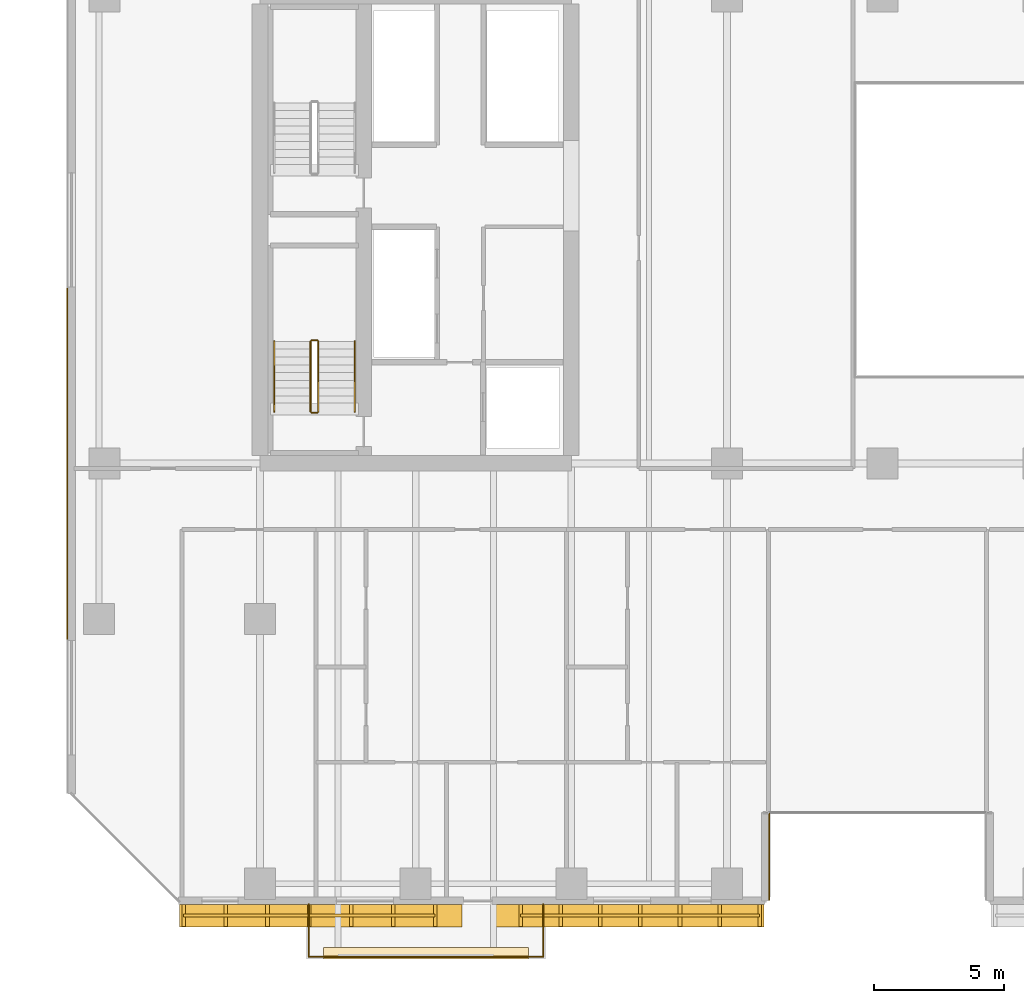
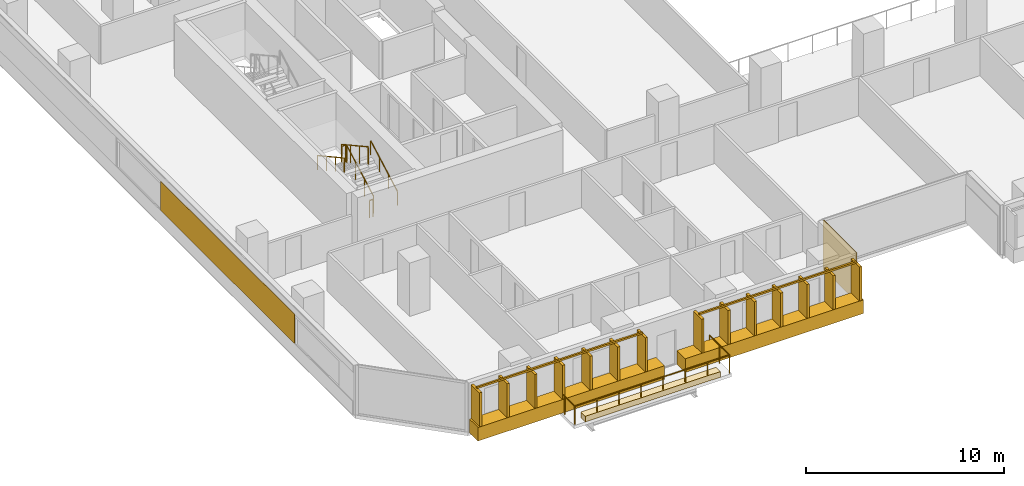
# One storey, part 25 of 33: 9 railings, 5 coverings.
"""IFC4 building model written with IfcOpenShell, lengths in metres."""

import ifcopenshell
import ifcopenshell.guid

model = None  # the IFC model being written
_history = None  # IfcOwnerHistory: only IFC2X3 demands one
_inside = {}  # id of a spatial element -> (the spatial element, [elements in it])
_under = {}  # id of a project, library or spatial element -> (it, [spatial elements below it])
_declared = {}  # id of a project -> (the project, [libraries it declares])
_typed = {}  # id of a type object -> (the type object, [elements of that type])
_made_of = {}  # id of a material, layer set ... -> (it, [elements and type objects made of it])


def new_model(schema):
    """Start an empty IFC model of exactly this schema.

    Asked for "IFC4X3", IfcOpenShell would pick the latest addendum, in which some entities
    have other attributes; the version numbers below select the first issue.
    IFC2X3 requires an IfcOwnerHistory on every rooted entity: one is made here for all.
    """
    global model, _history
    if schema == "IFC4X3":
        model = ifcopenshell.file(schema_version=(4, 3, 0, 0))
    else:
        model = ifcopenshell.file(schema=schema)
    _inside.clear()
    _under.clear()
    _declared.clear()
    _typed.clear()
    _made_of.clear()
    _history = None
    if model.schema == "IFC2X3":
        org = make("IfcOrganization", Name="unknown")
        user = make(
            "IfcPersonAndOrganization",
            ThePerson=make("IfcPerson", FamilyName="unknown"),
            TheOrganization=org,
        )
        app = make(
            "IfcApplication",
            ApplicationDeveloper=org,
            Version="unknown",
            ApplicationFullName="unknown",
            ApplicationIdentifier="unknown",
        )
        _history = make(
            "IfcOwnerHistory",
            OwningUser=user,
            OwningApplication=app,
            ChangeAction="ADDED",
            CreationDate=0,
        )
    return model


def make(cls, **values):
    """One entity of the class cls with the attributes given. An attribute that is None is left unset."""
    return model.create_entity(
        cls, **{name: value for name, value in values.items() if value is not None}
    )


def rooted(cls, **values):
    """An entity with a GlobalId (a new one), such as an element, a storey or a relation."""
    return make(cls, GlobalId=ifcopenshell.guid.new(), OwnerHistory=_history, **values)


def si_unit(unit_type, name, prefix=None):
    """IfcSIUnit, for example si_unit("LENGTHUNIT", "METRE", prefix="MILLI")."""
    return make("IfcSIUnit", UnitType=unit_type, Prefix=prefix, Name=name)


def assignment(units):
    """IfcUnitAssignment: the units of a project."""
    return None if units is None else make("IfcUnitAssignment", Units=units)


def point(xyz):
    """IfcCartesianPoint."""
    return None if xyz is None else make("IfcCartesianPoint", Coordinates=xyz)


def direction(xyz):
    """IfcDirection."""
    return None if xyz is None else make("IfcDirection", DirectionRatios=xyz)


def frame(location, z_axis=None, x_axis=None):
    """IfcAxis2Placement3D, a coordinate frame: its origin and axes. An axis left out is left unset."""
    return make(
        "IfcAxis2Placement3D",
        Location=point(location),
        Axis=direction(z_axis),
        RefDirection=direction(x_axis),
    )


def frame_2d(location, x_axis=None):
    """IfcAxis2Placement2D, a coordinate frame in the plane: its origin and x axis."""
    return make(
        "IfcAxis2Placement2D", Location=point(location), RefDirection=direction(x_axis)
    )


def origin():
    """The frame at (0, 0, 0) with its axes left unset."""
    return frame((0.0, 0.0, 0.0))


def origin_2d():
    """The frame at (0, 0) in the plane with its x axis left unset."""
    return frame_2d((0.0, 0.0))


def place(relative_to, where):
    """IfcLocalPlacement: puts the frame where relative to a parent placement (None: the world)."""
    return make(
        "IfcLocalPlacement", PlacementRelTo=relative_to, RelativePlacement=where
    )


def context(
    kind, dimensions, precision=None, world=None, true_north=None, identifier=None
):
    """IfcGeometricRepresentationContext, for example the 3D "Model" context."""
    return make(
        "IfcGeometricRepresentationContext",
        ContextIdentifier=identifier,
        ContextType=kind,
        CoordinateSpaceDimension=dimensions,
        Precision=precision,
        WorldCoordinateSystem=world,
        TrueNorth=true_north,
    )


def subcontext(parent, identifier, kind, view, scale=None):
    """IfcGeometricRepresentationSubContext, for example "Body" below "Model"."""
    return make(
        "IfcGeometricRepresentationSubContext",
        ContextIdentifier=identifier,
        ContextType=kind,
        ParentContext=parent,
        TargetScale=scale,
        TargetView=view,
    )


def project(units=None, contexts=None):
    """IfcProject with its units and contexts."""
    return rooted(
        "IfcProject",
        Name="project",
        RepresentationContexts=contexts,
        UnitsInContext=assignment(units),
    )


def spatial(cls, under=None, at=None, **own):
    """A site, building, storey or space (cls), placed at a placement, below another one or the project."""
    s = rooted(cls, ObjectPlacement=at, **own)
    if under is not None:
        _under.setdefault(under.id(), (under, []))[1].append(s)
    return s


def polyline(points):
    """IfcPolyline through the points."""
    return make("IfcPolyline", Points=[point(p) for p in points])


def profile(cls, at=None, kind="AREA", **sizes):
    """A parametric profile (cls). Its sizes go by their IFC names, for example OverallWidth=200.0."""
    return make(cls, ProfileType=kind, Position=at, **sizes)


def rectangle(**sizes):
    """IfcRectangleProfileDef."""
    return profile("IfcRectangleProfileDef", **sizes)


def outline(outer, holes=None, kind="AREA"):
    """IfcArbitraryClosedProfileDef: a profile drawn as a closed curve; with holes, ...WithVoids."""
    if holes is None:
        return make("IfcArbitraryClosedProfileDef", ProfileType=kind, OuterCurve=outer)
    return make(
        "IfcArbitraryProfileDefWithVoids",
        ProfileType=kind,
        OuterCurve=outer,
        InnerCurves=holes,
    )


def extrude(swept, where, along, depth):
    """IfcExtrudedAreaSolid: the profile swept, set in the frame where, extruded along a direction by depth."""
    return make(
        "IfcExtrudedAreaSolid",
        SweptArea=swept,
        Position=where,
        ExtrudedDirection=direction(along),
        Depth=depth,
    )


def shape(context_of_items, identifier, shape_type, items):
    """IfcShapeRepresentation: the items that make up one representation, for example the "Body"."""
    return make(
        "IfcShapeRepresentation",
        ContextOfItems=context_of_items,
        RepresentationIdentifier=identifier,
        RepresentationType=shape_type,
        Items=items,
    )


def material(Name=None, Category=None):
    """IfcMaterial."""
    return make("IfcMaterial", Name=Name, Category=Category)


def layer(
    of_material, thickness, ventilated=None, Name=None, Category=None, Priority=None
):
    """IfcMaterialLayer: one layer of a wall or slab, of a material (None: an air gap)."""
    return make(
        "IfcMaterialLayer",
        Material=of_material,
        LayerThickness=thickness,
        IsVentilated=ventilated,
        Name=Name,
        Category=Category,
        Priority=Priority,
    )


def layer_set(layers, Name=None):
    """IfcMaterialLayerSet."""
    return make("IfcMaterialLayerSet", MaterialLayers=layers, LayerSetName=Name)


def made_of(thing, what):
    """Note that an element or type object is made of a material, layer set ...; save() writes the relation."""
    if what is not None:
        _made_of.setdefault(what.id(), (what, []))[1].append(thing)
    return thing


def type_object(cls, material=None, **own):
    """A type object (cls), such as IfcWallType, which elements share."""
    return made_of(rooted(cls, **own), material)


def element(
    cls,
    number,
    at=None,
    inside=None,
    cuts=None,
    type_object=None,
    material=None,
    context=None,
    identifier="Body",
    shape_type=None,
    held_by="IfcProductDefinitionShape",
    body=None,
    shapes=None,
    **own,
):
    """One element of the class cls, such as IfcWall. Its Tag is "e" and its number.

    at: its placement. inside: the storey or other place that contains it. cuts: it is an
    opening in that element (IfcRelVoidsElement). A single representation is given by context,
    identifier, shape_type and body (its items); several are given by shapes. held_by: the class
    of the entity that holds the representations. save() writes the other relations.
    """
    e = rooted(cls, Tag="e%d" % number, ObjectPlacement=at, **own)
    if body is not None:
        shapes = [shape(context, identifier, shape_type, body)]
    if shapes is not None:
        e.Representation = make(held_by, Representations=shapes)
    if inside is not None:
        _inside.setdefault(inside.id(), (inside, []))[1].append(e)
    if cuts is not None:
        rooted(
            "IfcRelVoidsElement", RelatingBuildingElement=cuts, RelatedOpeningElement=e
        )
    if type_object is not None:
        _typed.setdefault(type_object.id(), (type_object, []))[1].append(e)
    return made_of(e, material)


def aggregate(whole, parts):
    """IfcRelAggregates: a whole, such as a stair, and the parts it consists of."""
    return rooted("IfcRelAggregates", RelatingObject=whole, RelatedObjects=parts)


def save(model, path):
    """Write the relations noted so far, then the file.

    IfcRelAggregates (storeys below a building ...), IfcRelContainedInSpatialStructure (elements
    in a storey), IfcRelDefinesByType, IfcRelAssociatesMaterial and IfcRelDeclares: one each for
    every whole, place, type object, material and project.
    """
    for whole, parts in _under.values():
        aggregate(whole, parts)
    for where, things in _inside.values():
        rooted(
            "IfcRelContainedInSpatialStructure",
            RelatedElements=things,
            RelatingStructure=where,
        )
    for kind, things in _typed.values():
        rooted("IfcRelDefinesByType", RelatedObjects=things, RelatingType=kind)
    for what, things in _made_of.values():
        rooted("IfcRelAssociatesMaterial", RelatedObjects=things, RelatingMaterial=what)
    for by, libraries in _declared.values():
        rooted("IfcRelDeclares", RelatingContext=by, RelatedDefinitions=libraries)
    model.write(path)


model = new_model("IFC4")

# Units and contexts
model_context = context("Model", 3, precision=1e-05, world=origin(), true_north=direction((0.0, 1.0)))
body_context = subcontext(model_context, "Body", "Model", "MODEL_VIEW")
ifc_project = project(units=[si_unit("LENGTHUNIT", "METRE"), si_unit("AREAUNIT", "SQUARE_METRE"), si_unit("VOLUMEUNIT", "CUBIC_METRE"), si_unit("PLANEANGLEUNIT", "RADIAN"), si_unit("MASSUNIT", "GRAM", prefix="KILO")], contexts=[model_context])

# Site, building, storey
site_placement = place(None, origin())
site = spatial("IfcSite", under=ifc_project, at=site_placement, CompositionType="ELEMENT")
building_placement = place(site_placement, origin())
building = spatial("IfcBuilding", under=site, at=building_placement, Name="Tanjung Sevakor Pilgrim Tower", CompositionType="ELEMENT")
storey_placement = place(building_placement, frame((0.0, 0.0, 52.139892578125)))
storey = spatial("IfcBuildingStorey", under=building, at=storey_placement, Name="L14", CompositionType="ELEMENT", Elevation=52.139892578125)

# Coverings
ifc_material_1 = material(Name="Reconstructed Limestone Cladding", Category="masonry")
ifc_layer_1 = layer(ifc_material_1, 0.044921875)
ifc_layer_set_1 = layer_set([ifc_layer_1], Name="COV-CLAD-LIMESTONE")
covering_type_1 = type_object("IfcCoveringType", Name="COV-CLAD-LIMESTONE", PredefinedType="CLADDING", material=ifc_layer_set_1)
covering_1_placement = place(storey_placement, frame((26.343994140625, 7.169921875, 0.01025390625), z_axis=(0.0, 0.0, 1.0), x_axis=(1.0, 0.0, 0.0)))
element("IfcCovering", 1, at=covering_1_placement, inside=storey, type_object=covering_type_1, Name="L14 Warm Limestone Sill Spandrel EW-L14-MAIN-1-1", PredefinedType="CLADDING", context=body_context, shape_type="SweptSolid", body=[
    extrude(rectangle(XDim=10.89208984375, YDim=0.860107421875, at=origin_2d()), origin(), (0.0, 0.0, 1.0), 0.840087890625),
])
covering_2_placement = place(storey_placement, frame((38.215087890625, 7.169921875, 0.01025390625), z_axis=(0.0, 0.0, 1.0), x_axis=(1.0, 0.0, 0.0)))
element("IfcCovering", 2, at=covering_2_placement, inside=storey, type_object=covering_type_1, Name="L14 Warm Limestone Sill Spandrel EW-L14-MAIN-1-2", PredefinedType="CLADDING", context=body_context, shape_type="SweptSolid", body=[
    extrude(rectangle(XDim=10.409912109375, YDim=0.860107421875, at=origin_2d()), origin(), (0.0, 0.0, 1.0), 0.840087890625),
])
covering_3_placement = place(storey_placement, frame((43.62255859375, 9.43994140625, 0.02001953125), z_axis=(0.0, 0.0, 1.0), x_axis=(0.0, 1.0, 0.0)))
element("IfcCovering", 3, at=covering_3_placement, inside=storey, type_object=covering_type_1, Name="L14 Warm Limestone Wall Cladding EW-L14-MAIN-2", PredefinedType="CLADDING", context=body_context, shape_type="SweptSolid", body=[
    extrude(rectangle(XDim=3.360107421875, YDim=0.044921875, at=origin_2d()), origin(), (0.0, 0.0, 1.0), 3.0400390625),
])
covering_4_placement = place(storey_placement, frame((16.577392578125, 24.58447265625, 0.85009765625), z_axis=(0.0, 0.0, 1.0), x_axis=(0.0, -1.0, 0.0)))
element("IfcCovering", 4, at=covering_4_placement, inside=storey, type_object=covering_type_1, Name="L14 Warm Limestone Pier Panel EW-L14-MAIN-15-2", PredefinedType="CLADDING", context=body_context, shape_type="SweptSolid", body=[
    extrude(rectangle(XDim=13.531005859375, YDim=0.044921875, at=origin_2d()), origin(), (0.0, 0.0, 1.0), 1.81005859375),
])
ifc_material_2 = material(Name="Vegetated Modular Planter Assembly", Category="organic")
ifc_layer_2 = layer(ifc_material_2, 0.35009765625)
ifc_layer_set_2 = layer_set([ifc_layer_2], Name="COV-GRN-TROUGH")
covering_type_2 = type_object("IfcCoveringType", Name="COV-GRN-TROUGH", PredefinedType="CLADDING", material=ifc_layer_set_2)
covering_5_placement = place(storey_placement, origin())
element("IfcCovering", 5, at=covering_5_placement, inside=storey, type_object=covering_type_2, Name="L14 Planted Landscape Hedge Trough BGRN-L14-MAIN-S1", PredefinedType="CLADDING", context=body_context, shape_type="SweptSolid", body=[
    extrude(outline(polyline([(26.449951171875, 5.5), (34.35009765625, 5.5), (34.35009765625, 5.93994140625), (26.449951171875, 5.93994140625), (26.449951171875, 5.5)])), origin(), (0.0, 0.0, 1.0), 0.35009765625),
])

# Railings
ifc_material_3 = material(Name="Laminated Glass and Aluminium", Category="aluminium")
railing_type_1 = type_object("IfcRailingType", Name="RL-BAL-BALUST", PredefinedType="BALUSTRADE", material=ifc_material_3)
railing_1_placement = place(storey_placement, frame((25.8798828125, 7.60009765625, 0.0)))
element("IfcRailing", 6, at=railing_1_placement, inside=storey, type_object=railing_type_1, Name="L14 Loggia Balustrade MAIN-S1", PredefinedType="BALUSTRADE", context=body_context, shape_type="SweptSolid", body=[
    extrude(rectangle(XDim=0.0479, YDim=0.0479), frame((0.0, 0.0, 1.1259765625), z_axis=(0.0, -1.0, 0.0), x_axis=(1.0, 0.0, 0.0)), (0.0, 0.0, 1.0), 2.02001953125),
    extrude(rectangle(XDim=0.0479, YDim=0.0479), frame((0.0, -2.02001953125, 1.1259765625), z_axis=(1.0, 0.0, 0.0), x_axis=(0.0, 1.0, 0.0)), (0.0, 0.0, 1.0), 9.0400390625),
    extrude(rectangle(XDim=0.0479, YDim=0.0479), frame((9.0400390625, -2.02001953125, 1.1259765625), z_axis=(0.0, 1.0, 0.0), x_axis=(-1.0, 0.0, 0.0)), (0.0, 0.0, 1.0), 2.02001953125),
    extrude(rectangle(XDim=0.042, YDim=0.042), origin(), (0.0, 0.0, 1.0), 1.101806640625),
    extrude(rectangle(XDim=0.042, YDim=0.042), frame((0.0, -1.010009765625, 0.0)), (0.0, 0.0, 1.0), 1.101806640625),
    extrude(rectangle(XDim=0.042, YDim=0.042), frame((0.0, -2.02001953125, 0.0)), (0.0, 0.0, 1.0), 1.101806640625),
    extrude(rectangle(XDim=0.042, YDim=0.042), frame((1.29150390625, -2.02001953125, 0.0)), (0.0, 0.0, 1.0), 1.101806640625),
    extrude(rectangle(XDim=0.042, YDim=0.042), frame((2.582763671875, -2.02001953125, 0.0)), (0.0, 0.0, 1.0), 1.101806640625),
    extrude(rectangle(XDim=0.042, YDim=0.042), frame((3.874267578125, -2.02001953125, 0.0)), (0.0, 0.0, 1.0), 1.101806640625),
    extrude(rectangle(XDim=0.042, YDim=0.042), frame((5.165771484375, -2.02001953125, 0.0)), (0.0, 0.0, 1.0), 1.101806640625),
    extrude(rectangle(XDim=0.042, YDim=0.042), frame((6.457275390625, -2.02001953125, 0.0)), (0.0, 0.0, 1.0), 1.101806640625),
    extrude(rectangle(XDim=0.042, YDim=0.042), frame((7.74853515625, -2.02001953125, 0.0)), (0.0, 0.0, 1.0), 1.101806640625),
    extrude(rectangle(XDim=0.042, YDim=0.042), frame((9.0400390625, -2.02001953125, 0.0)), (0.0, 0.0, 1.0), 1.101806640625),
    extrude(rectangle(XDim=0.042, YDim=0.042), frame((9.0400390625, -1.010009765625, 0.0)), (0.0, 0.0, 1.0), 1.101806640625),
    extrude(rectangle(XDim=0.042, YDim=0.042), frame((9.0400390625, 0.0, 0.0)), (0.0, 0.0, 1.0), 1.101806640625),
])
ifc_material_4 = material(Name="Anodised Bronze Aluminium 6063-T6", Category="aluminium")
railing_type_2 = type_object("IfcRailingType", Name="RL-FIN-SCREEN", PredefinedType="BALUSTRADE", material=ifc_material_4)
railing_2_placement = place(storey_placement, frame((21.05810546875, 7.175048828125, 0.840087890625)))
element("IfcRailing", 7, at=railing_2_placement, inside=storey, type_object=railing_type_2, Name="L14 Vertical Bronze-Gold Solar Fin Screen FNSCR-EW-L14-MAIN-1-1", PredefinedType="BALUSTRADE", context=body_context, shape_type="SweptSolid", body=[
    extrude(rectangle(XDim=0.105, YDim=0.105), frame((0.0, 0.0, 2.157470703125), z_axis=(1.0, 0.0, 0.0), x_axis=(0.0, 1.0, 0.0)), (0.0, 0.0, 1.0), 9.69189453125),
    extrude(rectangle(XDim=0.14, YDim=0.85), origin(), (0.0, 0.0, 1.0), 2.10498046875),
    extrude(rectangle(XDim=0.14, YDim=0.85), frame((1.615234375, 0.0, 0.0)), (0.0, 0.0, 1.0), 2.10498046875),
    extrude(rectangle(XDim=0.14, YDim=0.85), frame((3.230712890625, 0.0, 0.0)), (0.0, 0.0, 1.0), 2.10498046875),
    extrude(rectangle(XDim=0.14, YDim=0.85), frame((4.845947265625, 0.0, 0.0)), (0.0, 0.0, 1.0), 2.10498046875),
    extrude(rectangle(XDim=0.14, YDim=0.85), frame((6.461181640625, 0.0, 0.0)), (0.0, 0.0, 1.0), 2.10498046875),
    extrude(rectangle(XDim=0.14, YDim=0.85), frame((8.07666015625, 0.0, 0.0)), (0.0, 0.0, 1.0), 2.10498046875),
    extrude(rectangle(XDim=0.14, YDim=0.85), frame((9.69189453125, 0.0, 0.0)), (0.0, 0.0, 1.0), 2.10498046875),
])
railing_3_placement = place(storey_placement, frame((34.050048828125, 7.175048828125, 0.840087890625)))
element("IfcRailing", 8, at=railing_3_placement, inside=storey, type_object=railing_type_2, Name="L14 Vertical Bronze-Gold Solar Fin Screen FNSCR-EW-L14-MAIN-1-2", PredefinedType="BALUSTRADE", context=body_context, shape_type="SweptSolid", body=[
    extrude(rectangle(XDim=0.105, YDim=0.105), frame((0.0, 0.0, 2.157470703125), z_axis=(1.0, 0.0, 0.0), x_axis=(0.0, 1.0, 0.0)), (0.0, 0.0, 1.0), 9.2099609375),
    extrude(rectangle(XDim=0.14, YDim=0.85), origin(), (0.0, 0.0, 1.0), 2.10498046875),
    extrude(rectangle(XDim=0.14, YDim=0.85), frame((1.534912109375, 0.0, 0.0)), (0.0, 0.0, 1.0), 2.10498046875),
    extrude(rectangle(XDim=0.14, YDim=0.85), frame((3.070068359375, 0.0, 0.0)), (0.0, 0.0, 1.0), 2.10498046875),
    extrude(rectangle(XDim=0.14, YDim=0.85), frame((4.60498046875, 0.0, 0.0)), (0.0, 0.0, 1.0), 2.10498046875),
    extrude(rectangle(XDim=0.14, YDim=0.85), frame((6.139892578125, 0.0, 0.0)), (0.0, 0.0, 1.0), 2.10498046875),
    extrude(rectangle(XDim=0.14, YDim=0.85), frame((7.675048828125, 0.0, 0.0)), (0.0, 0.0, 1.0), 2.10498046875),
    extrude(rectangle(XDim=0.14, YDim=0.85), frame((9.2099609375, 0.0, 0.0)), (0.0, 0.0, 1.0), 2.10498046875),
])
ifc_material_5 = material(Name="Steel S355J2", Category="steel")
railing_type_3 = type_object("IfcRailingType", Name="RL-STAIR-GUARD", PredefinedType="GUARDRAIL", material=ifc_material_5)
railing_4_placement = place(storey_placement, frame((26.25, 26.60009765625, 0.1650390625)))
element("IfcRailing", 9, at=railing_4_placement, inside=storey, type_object=railing_type_3, Name="L14 TS-W1 stair guard 1", PredefinedType="GUARDRAIL", context=body_context, shape_type="SweptSolid", body=[
    extrude(rectangle(XDim=0.0479, YDim=0.0479), frame((0.0, 0.0, 1.076171875), z_axis=(0.0, 0.876197507361, 0.481952205197), x_axis=(-1.0, 0.0, 0.0)), (0.0, 0.0, 1.0), 3.08154296875),
    extrude(rectangle(XDim=0.042, YDim=0.042), origin(), (0.0, 0.0, 1.0), 1.052001953125),
    extrude(rectangle(XDim=0.042, YDim=0.042), frame((0.0, 0.89990234375, 0.4951171875)), (0.0, 0.0, 1.0), 1.052001953125),
    extrude(rectangle(XDim=0.042, YDim=0.042), frame((0.0, 1.800048828125, 0.989990234375)), (0.0, 0.0, 1.0), 1.052001953125),
    extrude(rectangle(XDim=0.042, YDim=0.042), frame((0.0, 2.699951171875, 1.485107421875)), (0.0, 0.0, 1.0), 1.052001953125),
])
railing_5_placement = place(storey_placement, frame((26.199951171875, 29.35009765625, 1.650146484375)))
element("IfcRailing", 10, at=railing_5_placement, inside=storey, type_object=railing_type_3, Name="L14 TS-W1 stair guard 2", PredefinedType="GUARDRAIL", context=body_context, shape_type="SweptSolid", body=[
    extrude(rectangle(XDim=0.0479, YDim=0.0479), frame((0.0, 0.0, 1.076171875), z_axis=(-1.0, 0.0, 0.0), x_axis=(0.0, -1.0, 0.0)), (0.0, 0.0, 1.0), 0.199951171875),
    extrude(rectangle(XDim=0.042, YDim=0.042), origin(), (0.0, 0.0, 1.0), 1.052001953125),
    extrude(rectangle(XDim=0.042, YDim=0.042), frame((-0.199951171875, 0.0, 0.0)), (0.0, 0.0, 1.0), 1.052001953125),
])
railing_6_placement = place(storey_placement, frame((25.949951171875, 29.300048828125, 1.815185546875)))
element("IfcRailing", 11, at=railing_6_placement, inside=storey, type_object=railing_type_3, Name="L14 TS-W1 stair guard 3", PredefinedType="GUARDRAIL", context=body_context, shape_type="SweptSolid", body=[
    extrude(rectangle(XDim=0.0479, YDim=0.0479), frame((0.0, 0.0, 1.076171875), z_axis=(0.0, -0.876230963923, 0.481891375584), x_axis=(1.0, 0.0, 0.0)), (0.0, 0.0, 1.0), 3.081298828125),
    extrude(rectangle(XDim=0.042, YDim=0.042), origin(), (0.0, 0.0, 1.0), 1.052001953125),
    extrude(rectangle(XDim=0.042, YDim=0.042), frame((0.0, -0.89990234375, 0.494873046875)), (0.0, 0.0, 1.0), 1.052001953125),
    extrude(rectangle(XDim=0.042, YDim=0.042), frame((0.0, -1.800048828125, 0.989990234375)), (0.0, 0.0, 1.0), 1.052001953125),
    extrude(rectangle(XDim=0.042, YDim=0.042), frame((0.0, -2.699951171875, 1.48486328125)), (0.0, 0.0, 1.0), 1.052001953125),
])
railing_7_placement = place(storey_placement, frame((26.199951171875, 26.550048828125, 0.0)))
element("IfcRailing", 12, at=railing_7_placement, inside=storey, type_object=railing_type_3, Name="L14 TS-W1 stair guard 4", PredefinedType="GUARDRAIL", context=body_context, shape_type="SweptSolid", body=[
    extrude(rectangle(XDim=0.0479, YDim=0.0479), frame((0.0, 0.0, 1.076171875), z_axis=(-1.0, 0.0, 0.0), x_axis=(0.0, -1.0, 0.0)), (0.0, 0.0, 1.0), 0.199951171875),
    extrude(rectangle(XDim=0.042, YDim=0.042), origin(), (0.0, 0.0, 1.0), 1.052001953125),
    extrude(rectangle(XDim=0.042, YDim=0.042), frame((-0.199951171875, 0.0, 0.0)), (0.0, 0.0, 1.0), 1.052001953125),
])
ifc_material_6 = material(Name="Steel S355J2", Category="steel")
railing_type_4 = type_object("IfcRailingType", Name="RL-STAIR-HAND", PredefinedType="HANDRAIL", material=ifc_material_6)
railing_8_placement = place(storey_placement, frame((27.64990234375, 26.60009765625, 0.1650390625)))
element("IfcRailing", 13, at=railing_8_placement, inside=storey, type_object=railing_type_4, Name="L14 TS-W1 stair handrail 1", PredefinedType="HANDRAIL", context=body_context, shape_type="SweptSolid", body=[
    extrude(rectangle(XDim=0.0479, YDim=0.0479), frame((0.0, 0.0, 0.8759765625), z_axis=(0.0, 0.876197507361, 0.481952205197), x_axis=(-1.0, 0.0, 0.0)), (0.0, 0.0, 1.0), 3.08154296875),
    extrude(rectangle(XDim=0.042, YDim=0.042), origin(), (0.0, 0.0, 1.0), 0.851806640625),
    extrude(rectangle(XDim=0.042, YDim=0.042), frame((0.0, 0.89990234375, 0.4951171875)), (0.0, 0.0, 1.0), 0.851806640625),
    extrude(rectangle(XDim=0.042, YDim=0.042), frame((0.0, 1.800048828125, 0.989990234375)), (0.0, 0.0, 1.0), 0.851806640625),
    extrude(rectangle(XDim=0.042, YDim=0.042), frame((0.0, 2.699951171875, 1.485107421875)), (0.0, 0.0, 1.0), 0.851806640625),
])
railing_9_placement = place(storey_placement, frame((24.550048828125, 29.300048828125, 1.815185546875)))
element("IfcRailing", 14, at=railing_9_placement, inside=storey, type_object=railing_type_4, Name="L14 TS-W1 stair handrail 2", PredefinedType="HANDRAIL", context=body_context, shape_type="SweptSolid", body=[
    extrude(rectangle(XDim=0.0479, YDim=0.0479), frame((0.0, 0.0, 0.8759765625), z_axis=(0.0, -0.876230963923, 0.481891375584), x_axis=(1.0, 0.0, 0.0)), (0.0, 0.0, 1.0), 3.081298828125),
    extrude(rectangle(XDim=0.042, YDim=0.042), origin(), (0.0, 0.0, 1.0), 0.851806640625),
    extrude(rectangle(XDim=0.042, YDim=0.042), frame((0.0, -0.89990234375, 0.494873046875)), (0.0, 0.0, 1.0), 0.851806640625),
    extrude(rectangle(XDim=0.042, YDim=0.042), frame((0.0, -1.800048828125, 0.989990234375)), (0.0, 0.0, 1.0), 0.851806640625),
    extrude(rectangle(XDim=0.042, YDim=0.042), frame((0.0, -2.699951171875, 1.48486328125)), (0.0, 0.0, 1.0), 0.851806640625),
])

save(model, "model.ifc")
